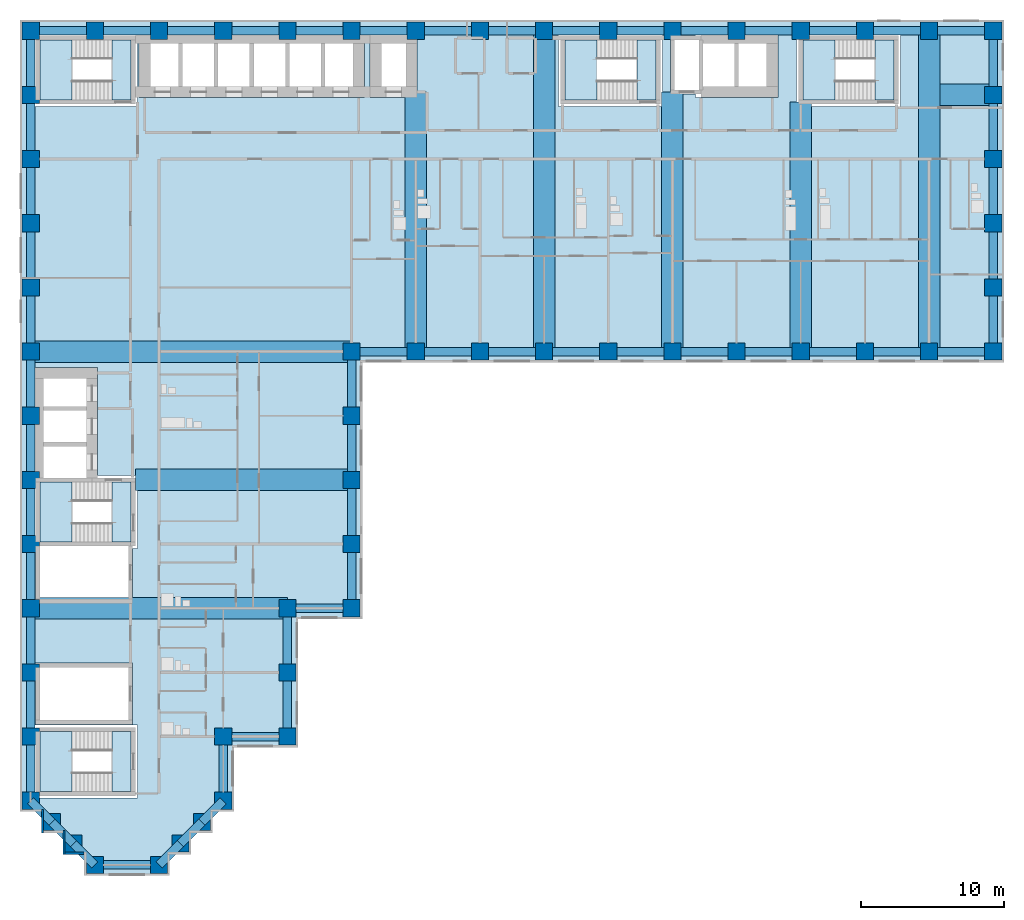
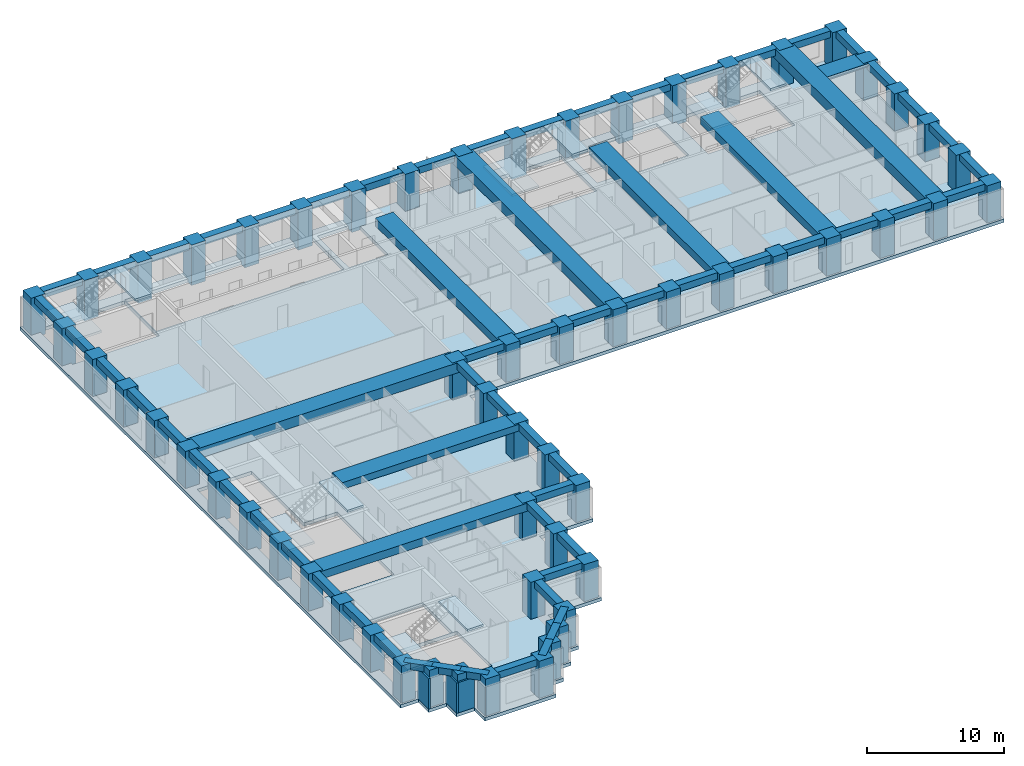
# One storey, part 1 of 12: 67 beams, 58 columns, 11 slabs, 3 walls, 5 elements without a shape of their own.
"""IFC4 building model written with IfcOpenShell, lengths in metres."""

import ifcopenshell
import ifcopenshell.guid

model = None  # the IFC model being written
_history = None  # IfcOwnerHistory: only IFC2X3 demands one
_inside = {}  # id of a spatial element -> (the spatial element, [elements in it])
_under = {}  # id of a project, library or spatial element -> (it, [spatial elements below it])
_declared = {}  # id of a project -> (the project, [libraries it declares])
_typed = {}  # id of a type object -> (the type object, [elements of that type])
_made_of = {}  # id of a material, layer set ... -> (it, [elements and type objects made of it])


def new_model(schema):
    """Start an empty IFC model of exactly this schema.

    Asked for "IFC4X3", IfcOpenShell would pick the latest addendum, in which some entities
    have other attributes; the version numbers below select the first issue.
    IFC2X3 requires an IfcOwnerHistory on every rooted entity: one is made here for all.
    """
    global model, _history
    if schema == "IFC4X3":
        model = ifcopenshell.file(schema_version=(4, 3, 0, 0))
    else:
        model = ifcopenshell.file(schema=schema)
    _inside.clear()
    _under.clear()
    _declared.clear()
    _typed.clear()
    _made_of.clear()
    _history = None
    if model.schema == "IFC2X3":
        org = make("IfcOrganization", Name="unknown")
        user = make(
            "IfcPersonAndOrganization",
            ThePerson=make("IfcPerson", FamilyName="unknown"),
            TheOrganization=org,
        )
        app = make(
            "IfcApplication",
            ApplicationDeveloper=org,
            Version="unknown",
            ApplicationFullName="unknown",
            ApplicationIdentifier="unknown",
        )
        _history = make(
            "IfcOwnerHistory",
            OwningUser=user,
            OwningApplication=app,
            ChangeAction="ADDED",
            CreationDate=0,
        )
    return model


def make(cls, **values):
    """One entity of the class cls with the attributes given. An attribute that is None is left unset."""
    return model.create_entity(
        cls, **{name: value for name, value in values.items() if value is not None}
    )


def rooted(cls, **values):
    """An entity with a GlobalId (a new one), such as an element, a storey or a relation."""
    return make(cls, GlobalId=ifcopenshell.guid.new(), OwnerHistory=_history, **values)


def si_unit(unit_type, name, prefix=None):
    """IfcSIUnit, for example si_unit("LENGTHUNIT", "METRE", prefix="MILLI")."""
    return make("IfcSIUnit", UnitType=unit_type, Prefix=prefix, Name=name)


def assignment(units):
    """IfcUnitAssignment: the units of a project."""
    return None if units is None else make("IfcUnitAssignment", Units=units)


def point(xyz):
    """IfcCartesianPoint."""
    return None if xyz is None else make("IfcCartesianPoint", Coordinates=xyz)


def direction(xyz):
    """IfcDirection."""
    return None if xyz is None else make("IfcDirection", DirectionRatios=xyz)


def frame(location, z_axis=None, x_axis=None):
    """IfcAxis2Placement3D, a coordinate frame: its origin and axes. An axis left out is left unset."""
    return make(
        "IfcAxis2Placement3D",
        Location=point(location),
        Axis=direction(z_axis),
        RefDirection=direction(x_axis),
    )


def frame_2d(location, x_axis=None):
    """IfcAxis2Placement2D, a coordinate frame in the plane: its origin and x axis."""
    return make(
        "IfcAxis2Placement2D", Location=point(location), RefDirection=direction(x_axis)
    )


def origin():
    """The frame at (0, 0, 0) with its axes left unset."""
    return frame((0.0, 0.0, 0.0))


def origin_2d():
    """The frame at (0, 0) in the plane with its x axis left unset."""
    return frame_2d((0.0, 0.0))


def place(relative_to, where):
    """IfcLocalPlacement: puts the frame where relative to a parent placement (None: the world)."""
    return make(
        "IfcLocalPlacement", PlacementRelTo=relative_to, RelativePlacement=where
    )


def context(
    kind, dimensions, precision=None, world=None, true_north=None, identifier=None
):
    """IfcGeometricRepresentationContext, for example the 3D "Model" context."""
    return make(
        "IfcGeometricRepresentationContext",
        ContextIdentifier=identifier,
        ContextType=kind,
        CoordinateSpaceDimension=dimensions,
        Precision=precision,
        WorldCoordinateSystem=world,
        TrueNorth=true_north,
    )


def subcontext(parent, identifier, kind, view, scale=None):
    """IfcGeometricRepresentationSubContext, for example "Body" below "Model"."""
    return make(
        "IfcGeometricRepresentationSubContext",
        ContextIdentifier=identifier,
        ContextType=kind,
        ParentContext=parent,
        TargetScale=scale,
        TargetView=view,
    )


def project(units=None, contexts=None):
    """IfcProject with its units and contexts."""
    return rooted(
        "IfcProject",
        Name="project",
        RepresentationContexts=contexts,
        UnitsInContext=assignment(units),
    )


def spatial(cls, under=None, at=None, **own):
    """A site, building, storey or space (cls), placed at a placement, below another one or the project."""
    s = rooted(cls, ObjectPlacement=at, **own)
    if under is not None:
        _under.setdefault(under.id(), (under, []))[1].append(s)
    return s


def polyline(points):
    """IfcPolyline through the points."""
    return make("IfcPolyline", Points=[point(p) for p in points])


def profile(cls, at=None, kind="AREA", **sizes):
    """A parametric profile (cls). Its sizes go by their IFC names, for example OverallWidth=200.0."""
    return make(cls, ProfileType=kind, Position=at, **sizes)


def rectangle(**sizes):
    """IfcRectangleProfileDef."""
    return profile("IfcRectangleProfileDef", **sizes)


def outline(outer, holes=None, kind="AREA"):
    """IfcArbitraryClosedProfileDef: a profile drawn as a closed curve; with holes, ...WithVoids."""
    if holes is None:
        return make("IfcArbitraryClosedProfileDef", ProfileType=kind, OuterCurve=outer)
    return make(
        "IfcArbitraryProfileDefWithVoids",
        ProfileType=kind,
        OuterCurve=outer,
        InnerCurves=holes,
    )


def extrude(swept, where, along, depth):
    """IfcExtrudedAreaSolid: the profile swept, set in the frame where, extruded along a direction by depth."""
    return make(
        "IfcExtrudedAreaSolid",
        SweptArea=swept,
        Position=where,
        ExtrudedDirection=direction(along),
        Depth=depth,
    )


def shape(context_of_items, identifier, shape_type, items):
    """IfcShapeRepresentation: the items that make up one representation, for example the "Body"."""
    return make(
        "IfcShapeRepresentation",
        ContextOfItems=context_of_items,
        RepresentationIdentifier=identifier,
        RepresentationType=shape_type,
        Items=items,
    )


def material(Name=None, Category=None):
    """IfcMaterial."""
    return make("IfcMaterial", Name=Name, Category=Category)


def layer(
    of_material, thickness, ventilated=None, Name=None, Category=None, Priority=None
):
    """IfcMaterialLayer: one layer of a wall or slab, of a material (None: an air gap)."""
    return make(
        "IfcMaterialLayer",
        Material=of_material,
        LayerThickness=thickness,
        IsVentilated=ventilated,
        Name=Name,
        Category=Category,
        Priority=Priority,
    )


def layer_set(layers, Name=None):
    """IfcMaterialLayerSet."""
    return make("IfcMaterialLayerSet", MaterialLayers=layers, LayerSetName=Name)


def material_profile(
    of_material, cross_section, Name=None, Category=None, Priority=None
):
    """IfcMaterialProfile: a cross section and its material."""
    return make(
        "IfcMaterialProfile",
        Name=Name,
        Material=of_material,
        Profile=cross_section,
        Priority=Priority,
        Category=Category,
    )


def profile_set(profiles, Name=None, composite=None):
    """IfcMaterialProfileSet."""
    return make(
        "IfcMaterialProfileSet",
        Name=Name,
        MaterialProfiles=profiles,
        CompositeProfile=composite,
    )


def made_of(thing, what):
    """Note that an element or type object is made of a material, layer set ...; save() writes the relation."""
    if what is not None:
        _made_of.setdefault(what.id(), (what, []))[1].append(thing)
    return thing


def type_object(cls, material=None, **own):
    """A type object (cls), such as IfcWallType, which elements share."""
    return made_of(rooted(cls, **own), material)


def element(
    cls,
    number,
    at=None,
    inside=None,
    cuts=None,
    type_object=None,
    material=None,
    context=None,
    identifier="Body",
    shape_type=None,
    held_by="IfcProductDefinitionShape",
    body=None,
    shapes=None,
    **own,
):
    """One element of the class cls, such as IfcWall. Its Tag is "e" and its number.

    at: its placement. inside: the storey or other place that contains it. cuts: it is an
    opening in that element (IfcRelVoidsElement). A single representation is given by context,
    identifier, shape_type and body (its items); several are given by shapes. held_by: the class
    of the entity that holds the representations. save() writes the other relations.
    """
    e = rooted(cls, Tag="e%d" % number, ObjectPlacement=at, **own)
    if body is not None:
        shapes = [shape(context, identifier, shape_type, body)]
    if shapes is not None:
        e.Representation = make(held_by, Representations=shapes)
    if inside is not None:
        _inside.setdefault(inside.id(), (inside, []))[1].append(e)
    if cuts is not None:
        rooted(
            "IfcRelVoidsElement", RelatingBuildingElement=cuts, RelatedOpeningElement=e
        )
    if type_object is not None:
        _typed.setdefault(type_object.id(), (type_object, []))[1].append(e)
    return made_of(e, material)


def aggregate(whole, parts):
    """IfcRelAggregates: a whole, such as a stair, and the parts it consists of."""
    return rooted("IfcRelAggregates", RelatingObject=whole, RelatedObjects=parts)


def save(model, path):
    """Write the relations noted so far, then the file.

    IfcRelAggregates (storeys below a building ...), IfcRelContainedInSpatialStructure (elements
    in a storey), IfcRelDefinesByType, IfcRelAssociatesMaterial and IfcRelDeclares: one each for
    every whole, place, type object, material and project.
    """
    for whole, parts in _under.values():
        aggregate(whole, parts)
    for where, things in _inside.values():
        rooted(
            "IfcRelContainedInSpatialStructure",
            RelatedElements=things,
            RelatingStructure=where,
        )
    for kind, things in _typed.values():
        rooted("IfcRelDefinesByType", RelatedObjects=things, RelatingType=kind)
    for what, things in _made_of.values():
        rooted("IfcRelAssociatesMaterial", RelatedObjects=things, RelatingMaterial=what)
    for by, libraries in _declared.values():
        rooted("IfcRelDeclares", RelatingContext=by, RelatedDefinitions=libraries)
    model.write(path)


model = new_model("IFC4")

# Units and contexts
model_context = context("Model", 3, precision=1e-05, world=origin(), true_north=direction((0.0, 1.0)))
body_context = subcontext(model_context, "Body", "Model", "MODEL_VIEW")
ifc_project = project(units=[si_unit("LENGTHUNIT", "METRE"), si_unit("AREAUNIT", "SQUARE_METRE"), si_unit("VOLUMEUNIT", "CUBIC_METRE"), si_unit("PLANEANGLEUNIT", "RADIAN"), si_unit("MASSUNIT", "GRAM", prefix="KILO")], contexts=[model_context])

# Site, building, storey
site_placement = place(None, origin())
site = spatial("IfcSite", under=ifc_project, at=site_placement, CompositionType="ELEMENT")
building_placement = place(site_placement, origin())
building = spatial("IfcBuilding", under=site, at=building_placement, Name="Firuza Court", CompositionType="ELEMENT")
storey_placement = place(building_placement, frame((0.0, 0.0, 39.800048828125)))
storey = spatial("IfcBuildingStorey", under=building, at=storey_placement, Name="L08", CompositionType="ELEMENT", Elevation=39.800048828125)

# Columns
ifc_material_1 = material(Name="Concrete C70/85", Category="concrete")
ifc_material_profile_1 = material_profile(ifc_material_1, rectangle(XDim=1.199951171875, YDim=1.199951171875, at=origin_2d()), Name="RC 1200x1200")
ifc_profile_set_1 = profile_set([ifc_material_profile_1], Name="Concrete C70/85")
column_type = type_object("IfcColumnType", Name="Tube column RC 1200x1200 C70/85", PredefinedType="COLUMN", material=ifc_profile_set_1)
for number, where, z_axis, x_axis, name in (
    (1, (4.5, 0.0, -0.300048828125), (0.0, 0.0, 1.0), (1.0, 0.0, 0.0), "Column C-2D L08"),
    (2, (9.0, 0.0, -0.300048828125), (0.0, 0.0, 1.0), (1.0, 0.0, 0.0), "Column C-3D L08"),
    (3, (3.0, 1.5, -0.300048828125), (0.0, 0.0, 1.0), (1.0, 0.0, 0.0), "Column C-SA1 L08"),
    (4, (10.5, 1.5, -0.300048828125), (0.0, 0.0, 1.0), (1.0, 0.0, 0.0), "Column C-SA2 L08"),
    (5, (1.5, 3.0, -0.300048828125), (0.0, 0.0, 1.0), (1.0, 0.0, 0.0), "Column C-SA3 L08"),
    (6, (12.0, 3.0, -0.300048828125), (0.0, 0.0, 1.0), (1.0, 0.0, 0.0), "Column C-SA4 L08"),
    (7, (0.0, 4.5, -0.300048828125), (0.0, 0.0, 1.0), (1.0, 0.0, 0.0), "Column C-1E L08"),
    (8, (13.5, 4.5, -0.300048828125), (0.0, 0.0, 1.0), (1.0, 0.0, 0.0), "Column C-4E L08"),
    (9, (0.0, 9.0, -0.300048828125), (0.0, 0.0, 1.0), (1.0, 0.0, 0.0), "Column C-1F L08"),
    (10, (13.5, 9.0, -0.300048828125), (0.0, 0.0, 1.0), (1.0, 0.0, 0.0), "Column C-4F L08"),
    (11, (18.0, 9.0, -0.300048828125), (0.0, 0.0, 1.0), (1.0, 0.0, 0.0), "Column C-5F L08"),
    (12, (0.0, 13.5, -0.300048828125), (0.0, 0.0, 1.0), (1.0, 0.0, 0.0), "Column C-1G L08"),
    (13, (18.0, 13.5, -0.300048828125), (0.0, 0.0, 1.0), (1.0, 0.0, 0.0), "Column C-5G L08"),
    (14, (0.0, 18.0, -0.300048828125), (0.0, 0.0, 1.0), (1.0, 0.0, 0.0), "Column C-1H L08"),
    (15, (18.0, 18.0, -0.300048828125), (0.0, 0.0, 1.0), (1.0, 0.0, 0.0), "Column C-5H L08"),
    (16, (22.5, 18.0, -0.300048828125), (0.0, 0.0, 1.0), (1.0, 0.0, 0.0), "Column C-6H L08"),
    (17, (0.0, 22.5, -0.300048828125), (0.0, 0.0, 1.0), (1.0, 0.0, 0.0), "Column C-1J L08"),
    (18, (22.5, 22.5, -0.300048828125), (0.0, 0.0, 1.0), (1.0, 0.0, 0.0), "Column C-6J L08"),
    (19, (0.0, 27.0, -0.300048828125), (0.0, 0.0, 1.0), (1.0, 0.0, 0.0), "Column C-1K L08"),
    (20, (22.5, 27.0, -0.300048828125), (0.0, 0.0, 1.0), (1.0, 0.0, 0.0), "Column C-6K L08"),
    (21, (0.0, 31.5, -0.300048828125), (0.0, 0.0, 1.0), (1.0, 0.0, 0.0), "Column C-1L L08"),
    (22, (22.5, 31.5, -0.300048828125), (0.0, 0.0, 1.0), (1.0, 0.0, 0.0), "Column C-6L L08"),
    (23, (0.0, 36.0, -0.300048828125), (0.0, 0.0, 1.0), (1.0, 0.0, 0.0), "Column C-1M L08"),
    (24, (22.5, 36.0, -0.300048828125), (0.0, 0.0, 1.0), (1.0, 0.0, 0.0), "Column C-6M L08"),
    (25, (27.0, 36.0, -0.300048828125), (0.0, 0.0, 1.0), (1.0, 0.0, 0.0), "Column C-7M L08"),
    (26, (31.5, 36.0, -0.300048828125), (0.0, 0.0, 1.0), (1.0, 0.0, 0.0), "Column C-8M L08"),
    (27, (36.0, 36.0, -0.300048828125), (0.0, 0.0, 1.0), (1.0, 0.0, 0.0), "Column C-9M L08"),
    (28, (40.5, 36.0, -0.300048828125), (0.0, 0.0, 1.0), (1.0, 0.0, 0.0), "Column C-10M L08"),
    (29, (45.0, 36.0, -0.300048828125), (0.0, 0.0, 1.0), (1.0, 0.0, 0.0), "Column C-11M L08"),
    (30, (49.5, 36.0, -0.300048828125), (0.0, 0.0, 1.0), (1.0, 0.0, 0.0), "Column C-12M L08"),
    (31, (54.0, 36.0, -0.300048828125), (0.0, 0.0, 1.0), (1.0, 0.0, 0.0), "Column C-13M L08"),
    (32, (58.5, 36.0, -0.300048828125), (0.0, 0.0, 1.0), (1.0, 0.0, 0.0), "Column C-14M L08"),
    (33, (63.0, 36.0, -0.300048828125), (0.0, 0.0, 1.0), (1.0, 0.0, 0.0), "Column C-15M L08"),
    (34, (67.5, 36.0, -0.300048828125), (0.0, 0.0, 1.0), (1.0, 0.0, 0.0), "Column C-16M L08"),
    (35, (0.0, 40.5, -0.300048828125), (0.0, 0.0, 1.0), (1.0, 0.0, 0.0), "Column C-1N L08"),
    (36, (67.5, 40.5, -0.300048828125), (0.0, 0.0, 1.0), (1.0, 0.0, 0.0), "Column C-16N L08"),
    (37, (0.0, 45.0, -0.300048828125), (0.0, 0.0, 1.0), (1.0, 0.0, 0.0), "Column C-1P L08"),
    (38, (67.5, 45.0, -0.300048828125), (0.0, 0.0, 1.0), (1.0, 0.0, 0.0), "Column C-16P L08"),
    (39, (0.0, 49.5, -0.300048828125), (0.0, 0.0, 1.0), (1.0, 0.0, 0.0), "Column C-1Q L08"),
    (40, (67.5, 49.5, -0.300048828125), (0.0, 0.0, 1.0), (1.0, 0.0, 0.0), "Column C-16Q L08"),
    (41, (0.0, 54.0, -0.300048828125), (0.0, 0.0, 1.0), (1.0, 0.0, 0.0), "Column C-1R L08"),
    (42, (67.5, 54.0, -0.300048828125), (0.0, 0.0, 1.0), (1.0, 0.0, 0.0), "Column C-16R L08"),
    (43, (0.0, 58.5, -0.300048828125), (0.0, 0.0, 1.0), (1.0, 0.0, 0.0), "Column C-1S L08"),
    (44, (4.5, 58.5, -0.300048828125), (0.0, 0.0, 1.0), (1.0, 0.0, 0.0), "Column C-2S L08"),
    (45, (9.0, 58.5, -0.300048828125), (0.0, 0.0, 1.0), (1.0, 0.0, 0.0), "Column C-3S L08"),
    (46, (13.5, 58.5, -0.300048828125), (0.0, 0.0, 1.0), (1.0, 0.0, 0.0), "Column C-4S L08"),
    (47, (18.0, 58.5, -0.300048828125), (0.0, 0.0, 1.0), (1.0, 0.0, 0.0), "Column C-5S L08"),
    (48, (22.5, 58.5, -0.300048828125), (0.0, 0.0, 1.0), (1.0, 0.0, 0.0), "Column C-6S L08"),
    (49, (27.0, 58.5, -0.300048828125), (0.0, 0.0, 1.0), (1.0, 0.0, 0.0), "Column C-7S L08"),
    (50, (31.5, 58.5, -0.300048828125), (0.0, 0.0, 1.0), (1.0, 0.0, 0.0), "Column C-8S L08"),
    (51, (36.0, 58.5, -0.300048828125), (0.0, 0.0, 1.0), (1.0, 0.0, 0.0), "Column C-9S L08"),
    (52, (40.5, 58.5, -0.300048828125), (0.0, 0.0, 1.0), (1.0, 0.0, 0.0), "Column C-10S L08"),
    (53, (45.0, 58.5, -0.300048828125), (0.0, 0.0, 1.0), (1.0, 0.0, 0.0), "Column C-11S L08"),
    (54, (49.5, 58.5, -0.300048828125), (0.0, 0.0, 1.0), (1.0, 0.0, 0.0), "Column C-12S L08"),
    (55, (54.0, 58.5, -0.300048828125), (0.0, 0.0, 1.0), (1.0, 0.0, 0.0), "Column C-13S L08"),
    (56, (58.5, 58.5, -0.300048828125), (0.0, 0.0, 1.0), (1.0, 0.0, 0.0), "Column C-14S L08"),
    (57, (63.0, 58.5, -0.300048828125), (0.0, 0.0, 1.0), (1.0, 0.0, 0.0), "Column C-15S L08"),
    (58, (67.5, 58.5, -0.300048828125), (0.0, 0.0, 1.0), (1.0, 0.0, 0.0), "Column C-16S L08"),
):
    element("IfcColumn", number, at=place(storey_placement, frame(where, z_axis=z_axis, x_axis=x_axis)), inside=storey, type_object=column_type, Name=name, PredefinedType="COLUMN", context=body_context, shape_type="SweptSolid", body=[
        extrude(rectangle(XDim=1.199951171875, YDim=1.199951171875, at=origin_2d()), origin(), (0.0, 0.0, 1.0), 3.60009765625),
    ])

# Beams
ifc_material_2 = material(Name="Concrete C40/50", Category="concrete")
ifc_material_profile_2 = material_profile(ifc_material_2, rectangle(XDim=1.5, YDim=0.300048828125, at=origin_2d()), Name="RC 1500x300")
ifc_profile_set_2 = profile_set([ifc_material_profile_2], Name="Concrete C40/50")
beam_type_1 = type_object("IfcBeamType", Name="Band beam RC 1500x300 C40/50", PredefinedType="BEAM", material=ifc_profile_set_2)
beam_1_placement = place(storey_placement, frame((67.5, 54.0, 3.14990234375), z_axis=(-1.0, 0.0, 0.0), x_axis=(0.0, -1.0, 0.0)))
element("IfcBeam", 59, at=beam_1_placement, inside=storey, type_object=beam_type_1, Name="Band beam FB6 level L09", PredefinedType="BEAM", context=body_context, shape_type="SweptSolid", body=[
    extrude(rectangle(XDim=1.5, YDim=0.300048828125, at=origin_2d()), origin(), (0.0, 0.0, 1.0), 3.75),
])
ifc_material_3 = material(Name="Concrete C40/50", Category="concrete")
ifc_material_profile_3 = material_profile(ifc_material_3, rectangle(XDim=1.5, YDim=0.60009765625, at=origin_2d()), Name="RC 1500x600")
ifc_profile_set_3 = profile_set([ifc_material_profile_3], Name="Concrete C40/50")
beam_type_2 = type_object("IfcBeamType", Name="Band beam RC 1500x600 C40/50", PredefinedType="BEAM", material=ifc_profile_set_3)
beam_2_placement = place(storey_placement, frame((22.5, 27.0, 3.0), z_axis=(-1.0, 0.0, 0.0), x_axis=(0.0, -1.0, 0.0)))
element("IfcBeam", 60, at=beam_2_placement, inside=storey, type_object=beam_type_2, Name="Band beam FB3 level L09", PredefinedType="BEAM", context=body_context, shape_type="SweptSolid", body=[
    extrude(rectangle(XDim=1.5, YDim=0.60009765625, at=origin_2d()), origin(), (0.0, 0.0, 1.0), 15.14990234375),
])
ifc_material_4 = material(Name="Concrete C40/50", Category="concrete")
ifc_material_profile_4 = material_profile(ifc_material_4, rectangle(XDim=1.5, YDim=0.699951171875, at=origin_2d()), Name="RC 1500x700")
ifc_profile_set_4 = profile_set([ifc_material_profile_4], Name="Concrete C40/50")
beam_type_3 = type_object("IfcBeamType", Name="Band beam RC 1500x700 C40/50", PredefinedType="BEAM", material=ifc_profile_set_4)
beam_3_placement = place(storey_placement, frame((0.0, 18.0, 2.949951171875), z_axis=(1.0, 0.0, 0.0), x_axis=(0.0, 1.0, 0.0)))
element("IfcBeam", 61, at=beam_3_placement, inside=storey, type_object=beam_type_3, Name="Band beam FB1 level L09", PredefinedType="BEAM", context=body_context, shape_type="SweptSolid", body=[
    extrude(rectangle(XDim=1.5, YDim=0.699951171875, at=origin_2d()), origin(), (0.0, 0.0, 1.0), 18.0),
])
for number, where, z_axis, x_axis, name in (
    (62, (27.0, 36.0, 2.949951171875), (0.0, 1.0, 0.0), (-1.0, 0.0, 0.0), "Band beam FB1 level L09"),
    (63, (45.0, 36.0, 2.949951171875), (0.0, 1.0, 0.0), (-1.0, 0.0, 0.0), "Band beam FB1 level L09"),
):
    element("IfcBeam", number, at=place(storey_placement, frame(where, z_axis=z_axis, x_axis=x_axis)), inside=storey, type_object=beam_type_3, Name=name, PredefinedType="BEAM", context=body_context, shape_type="SweptSolid", body=[
        extrude(rectangle(XDim=1.5, YDim=0.699951171875, at=origin_2d()), origin(), (0.0, 0.0, 1.0), 18.199951171875),
    ])
beam_4_placement = place(storey_placement, frame((54.0, 36.0, 2.949951171875), z_axis=(0.0, 1.0, 0.0), x_axis=(-1.0, 0.0, 0.0)))
element("IfcBeam", 64, at=beam_4_placement, inside=storey, type_object=beam_type_3, Name="Band beam FB1 level L09", PredefinedType="BEAM", context=body_context, shape_type="SweptSolid", body=[
    extrude(rectangle(XDim=1.5, YDim=0.699951171875, at=origin_2d()), origin(), (0.0, 0.0, 1.0), 17.5),
])
ifc_material_5 = material(Name="Concrete C40/50", Category="concrete")
ifc_material_profile_5 = material_profile(ifc_material_5, rectangle(XDim=1.5, YDim=0.89990234375, at=origin_2d()), Name="RC 1500x900")
ifc_profile_set_5 = profile_set([ifc_material_profile_5], Name="Concrete C40/50")
beam_type_4 = type_object("IfcBeamType", Name="Band beam RC 1500x900 C40/50", PredefinedType="BEAM", material=ifc_profile_set_5)
for number, where, z_axis, x_axis, name in (
    (65, (0.0, 36.0, 2.849853515625), (1.0, 0.0, 0.0), (0.0, 1.0, 0.0), "Band beam FB2 level L09"),
    (66, (36.0, 36.0, 2.849853515625), (0.0, 1.0, 0.0), (-1.0, 0.0, 0.0), "Band beam FB2 level L09"),
    (67, (63.0, 36.0, 2.849853515625), (0.0, 1.0, 0.0), (-1.0, 0.0, 0.0), "Band beam FB2 level L09"),
):
    element("IfcBeam", number, at=place(storey_placement, frame(where, z_axis=z_axis, x_axis=x_axis)), inside=storey, type_object=beam_type_4, Name=name, PredefinedType="BEAM", context=body_context, shape_type="SweptSolid", body=[
        extrude(rectangle(XDim=1.5, YDim=0.89990234375, at=origin_2d()), origin(), (0.0, 0.0, 1.0), 22.5),
    ])
ifc_material_6 = material(Name="Concrete C40/50", Category="concrete")
ifc_material_profile_6 = material_profile(ifc_material_6, rectangle(XDim=0.60009765625, YDim=0.60009765625, at=origin_2d()), Name="RC 600x600")
ifc_profile_set_6 = profile_set([ifc_material_profile_6], Name="Concrete C40/50")
beam_type_5 = type_object("IfcBeamType", Name="Spandrel beam RC 600x600 C40/50", PredefinedType="BEAM", material=ifc_profile_set_6)
beam_5_placement = place(storey_placement, frame((0.0, 4.5, 3.0), z_axis=(0.707106781187, -0.707106781187, 0.0), x_axis=(0.707106781187, 0.707106781187, 0.0)))
element("IfcBeam", 68, at=beam_5_placement, inside=storey, type_object=beam_type_5, Name="Spandrel beam SP11 level L09", PredefinedType="BEAM", context=body_context, shape_type="SweptSolid", body=[
    extrude(rectangle(XDim=0.60009765625, YDim=0.60009765625, at=origin_2d()), origin(), (0.0, 0.0, 1.0), 2.121337890625),
])
for number, where, z_axis, x_axis, name in (
    (69, (0.0, 9.0, 3.0), (0.0, -1.0, 0.0), (1.0, 0.0, 0.0), "Spandrel beam SP11 level L09"),
    (70, (0.0, 13.5, 3.0), (0.0, -1.0, 0.0), (1.0, 0.0, 0.0), "Spandrel beam SP11 level L09"),
    (71, (0.0, 18.0, 3.0), (0.0, -1.0, 0.0), (1.0, 0.0, 0.0), "Spandrel beam SP11 level L09"),
    (72, (0.0, 22.5, 3.0), (0.0, -1.0, 0.0), (1.0, 0.0, 0.0), "Spandrel beam SP11 level L09"),
    (73, (0.0, 27.0, 3.0), (0.0, -1.0, 0.0), (1.0, 0.0, 0.0), "Spandrel beam SP11 level L09"),
    (74, (0.0, 31.5, 3.0), (0.0, -1.0, 0.0), (1.0, 0.0, 0.0), "Spandrel beam SP11 level L09"),
    (75, (0.0, 36.0, 3.0), (0.0, -1.0, 0.0), (1.0, 0.0, 0.0), "Spandrel beam SP11 level L09"),
    (76, (0.0, 40.5, 3.0), (0.0, -1.0, 0.0), (1.0, 0.0, 0.0), "Spandrel beam SP11 level L09"),
    (77, (0.0, 45.0, 3.0), (0.0, -1.0, 0.0), (1.0, 0.0, 0.0), "Spandrel beam SP11 level L09"),
    (78, (0.0, 49.5, 3.0), (0.0, -1.0, 0.0), (1.0, 0.0, 0.0), "Spandrel beam SP11 level L09"),
    (79, (0.0, 54.0, 3.0), (0.0, -1.0, 0.0), (1.0, 0.0, 0.0), "Spandrel beam SP11 level L09"),
    (80, (0.0, 58.5, 3.0), (0.0, -1.0, 0.0), (1.0, 0.0, 0.0), "Spandrel beam SP11 level L09"),
):
    element("IfcBeam", number, at=place(storey_placement, frame(where, z_axis=z_axis, x_axis=x_axis)), inside=storey, type_object=beam_type_5, Name=name, PredefinedType="BEAM", context=body_context, shape_type="SweptSolid", body=[
        extrude(rectangle(XDim=0.60009765625, YDim=0.60009765625, at=origin_2d()), origin(), (0.0, 0.0, 1.0), 4.5),
    ])
for number, where, z_axis, x_axis, name in (
    (81, (1.5, 3.0, 3.0), (0.707106781187, -0.707106781187, 0.0), (0.707106781187, 0.707106781187, 0.0), "Spandrel beam SP11 level L09"),
    (82, (3.0, 1.5, 3.0), (0.707106781187, -0.707106781187, 0.0), (0.707106781187, 0.707106781187, 0.0), "Spandrel beam SP11 level L09"),
):
    element("IfcBeam", number, at=place(storey_placement, frame(where, z_axis=z_axis, x_axis=x_axis)), inside=storey, type_object=beam_type_5, Name=name, PredefinedType="BEAM", context=body_context, shape_type="SweptSolid", body=[
        extrude(rectangle(XDim=0.60009765625, YDim=0.60009765625, at=origin_2d()), origin(), (0.0, 0.0, 1.0), 2.121337890625),
    ])
for number, where, z_axis, x_axis, name in (
    (83, (4.5, 0.0, 3.0), (1.0, 0.0, 0.0), (0.0, 1.0, 0.0), "Spandrel beam SP11 level L09"),
    (84, (4.5, 58.5, 3.0), (-1.0, 0.0, 0.0), (0.0, -1.0, 0.0), "Spandrel beam SP11 level L09"),
):
    element("IfcBeam", number, at=place(storey_placement, frame(where, z_axis=z_axis, x_axis=x_axis)), inside=storey, type_object=beam_type_5, Name=name, PredefinedType="BEAM", context=body_context, shape_type="SweptSolid", body=[
        extrude(rectangle(XDim=0.60009765625, YDim=0.60009765625, at=origin_2d()), origin(), (0.0, 0.0, 1.0), 4.5),
    ])
beam_6_placement = place(storey_placement, frame((9.0, 0.0, 3.0), z_axis=(0.707106781187, 0.707106781187, 0.0), x_axis=(-0.707106781187, 0.707106781187, 0.0)))
element("IfcBeam", 85, at=beam_6_placement, inside=storey, type_object=beam_type_5, Name="Spandrel beam SP11 level L09", PredefinedType="BEAM", context=body_context, shape_type="SweptSolid", body=[
    extrude(rectangle(XDim=0.60009765625, YDim=0.60009765625, at=origin_2d()), origin(), (0.0, 0.0, 1.0), 2.121337890625),
])
beam_7_placement = place(storey_placement, frame((9.0, 58.5, 3.0), z_axis=(-1.0, 0.0, 0.0), x_axis=(0.0, -1.0, 0.0)))
element("IfcBeam", 86, at=beam_7_placement, inside=storey, type_object=beam_type_5, Name="Spandrel beam SP11 level L09", PredefinedType="BEAM", context=body_context, shape_type="SweptSolid", body=[
    extrude(rectangle(XDim=0.60009765625, YDim=0.60009765625, at=origin_2d()), origin(), (0.0, 0.0, 1.0), 4.5),
])
for number, where, z_axis, x_axis, name in (
    (87, (10.5, 1.5, 3.0), (0.707106781187, 0.707106781187, 0.0), (-0.707106781187, 0.707106781187, 0.0), "Spandrel beam SP11 level L09"),
    (88, (12.0, 3.0, 3.0), (0.707106781187, 0.707106781187, 0.0), (-0.707106781187, 0.707106781187, 0.0), "Spandrel beam SP11 level L09"),
):
    element("IfcBeam", number, at=place(storey_placement, frame(where, z_axis=z_axis, x_axis=x_axis)), inside=storey, type_object=beam_type_5, Name=name, PredefinedType="BEAM", context=body_context, shape_type="SweptSolid", body=[
        extrude(rectangle(XDim=0.60009765625, YDim=0.60009765625, at=origin_2d()), origin(), (0.0, 0.0, 1.0), 2.121337890625),
    ])
for number, where, z_axis, x_axis, name in (
    (89, (13.5, 4.5, 3.0), (0.0, 1.0, 0.0), (-1.0, 0.0, 0.0), "Spandrel beam SP11 level L09"),
    (90, (13.5, 9.0, 3.0), (1.0, 0.0, 0.0), (0.0, 1.0, 0.0), "Spandrel beam SP11 level L09"),
    (91, (13.5, 58.5, 3.0), (-1.0, 0.0, 0.0), (0.0, -1.0, 0.0), "Spandrel beam SP11 level L09"),
    (92, (18.0, 9.0, 3.0), (0.0, 1.0, 0.0), (-1.0, 0.0, 0.0), "Spandrel beam SP11 level L09"),
    (93, (18.0, 13.5, 3.0), (0.0, 1.0, 0.0), (-1.0, 0.0, 0.0), "Spandrel beam SP11 level L09"),
    (94, (18.0, 18.0, 3.0), (1.0, 0.0, 0.0), (0.0, 1.0, 0.0), "Spandrel beam SP11 level L09"),
    (95, (18.0, 58.5, 3.0), (-1.0, 0.0, 0.0), (0.0, -1.0, 0.0), "Spandrel beam SP11 level L09"),
    (96, (22.5, 18.0, 3.0), (0.0, 1.0, 0.0), (-1.0, 0.0, 0.0), "Spandrel beam SP11 level L09"),
    (97, (22.5, 22.5, 3.0), (0.0, 1.0, 0.0), (-1.0, 0.0, 0.0), "Spandrel beam SP11 level L09"),
    (98, (22.5, 27.0, 3.0), (0.0, 1.0, 0.0), (-1.0, 0.0, 0.0), "Spandrel beam SP11 level L09"),
    (99, (22.5, 31.5, 3.0), (0.0, 1.0, 0.0), (-1.0, 0.0, 0.0), "Spandrel beam SP11 level L09"),
    (100, (22.5, 36.0, 3.0), (1.0, 0.0, 0.0), (0.0, 1.0, 0.0), "Spandrel beam SP11 level L09"),
    (101, (22.5, 58.5, 3.0), (-1.0, 0.0, 0.0), (0.0, -1.0, 0.0), "Spandrel beam SP11 level L09"),
    (102, (27.0, 36.0, 3.0), (1.0, 0.0, 0.0), (0.0, 1.0, 0.0), "Spandrel beam SP11 level L09"),
    (103, (27.0, 58.5, 3.0), (-1.0, 0.0, 0.0), (0.0, -1.0, 0.0), "Spandrel beam SP11 level L09"),
    (104, (31.5, 36.0, 3.0), (1.0, 0.0, 0.0), (0.0, 1.0, 0.0), "Spandrel beam SP11 level L09"),
    (105, (31.5, 58.5, 3.0), (-1.0, 0.0, 0.0), (0.0, -1.0, 0.0), "Spandrel beam SP11 level L09"),
    (106, (36.0, 36.0, 3.0), (1.0, 0.0, 0.0), (0.0, 1.0, 0.0), "Spandrel beam SP11 level L09"),
    (107, (36.0, 58.5, 3.0), (-1.0, 0.0, 0.0), (0.0, -1.0, 0.0), "Spandrel beam SP11 level L09"),
    (108, (40.5, 36.0, 3.0), (1.0, 0.0, 0.0), (0.0, 1.0, 0.0), "Spandrel beam SP11 level L09"),
    (109, (40.5, 58.5, 3.0), (-1.0, 0.0, 0.0), (0.0, -1.0, 0.0), "Spandrel beam SP11 level L09"),
    (110, (45.0, 36.0, 3.0), (1.0, 0.0, 0.0), (0.0, 1.0, 0.0), "Spandrel beam SP11 level L09"),
    (111, (45.0, 58.5, 3.0), (-1.0, 0.0, 0.0), (0.0, -1.0, 0.0), "Spandrel beam SP11 level L09"),
    (112, (49.5, 36.0, 3.0), (1.0, 0.0, 0.0), (0.0, 1.0, 0.0), "Spandrel beam SP11 level L09"),
    (113, (49.5, 58.5, 3.0), (-1.0, 0.0, 0.0), (0.0, -1.0, 0.0), "Spandrel beam SP11 level L09"),
    (114, (54.0, 36.0, 3.0), (1.0, 0.0, 0.0), (0.0, 1.0, 0.0), "Spandrel beam SP11 level L09"),
    (115, (54.0, 58.5, 3.0), (-1.0, 0.0, 0.0), (0.0, -1.0, 0.0), "Spandrel beam SP11 level L09"),
    (116, (58.5, 36.0, 3.0), (1.0, 0.0, 0.0), (0.0, 1.0, 0.0), "Spandrel beam SP11 level L09"),
    (117, (58.5, 58.5, 3.0), (-1.0, 0.0, 0.0), (0.0, -1.0, 0.0), "Spandrel beam SP11 level L09"),
    (118, (63.0, 36.0, 3.0), (1.0, 0.0, 0.0), (0.0, 1.0, 0.0), "Spandrel beam SP11 level L09"),
    (119, (63.0, 58.5, 3.0), (-1.0, 0.0, 0.0), (0.0, -1.0, 0.0), "Spandrel beam SP11 level L09"),
    (120, (67.5, 36.0, 3.0), (0.0, 1.0, 0.0), (-1.0, 0.0, 0.0), "Spandrel beam SP11 level L09"),
    (121, (67.5, 40.5, 3.0), (0.0, 1.0, 0.0), (-1.0, 0.0, 0.0), "Spandrel beam SP11 level L09"),
    (122, (67.5, 45.0, 3.0), (0.0, 1.0, 0.0), (-1.0, 0.0, 0.0), "Spandrel beam SP11 level L09"),
    (123, (67.5, 49.5, 3.0), (0.0, 1.0, 0.0), (-1.0, 0.0, 0.0), "Spandrel beam SP11 level L09"),
    (124, (67.5, 54.0, 3.0), (0.0, 1.0, 0.0), (-1.0, 0.0, 0.0), "Spandrel beam SP11 level L09"),
    (125, (67.5, 58.5, 3.0), (-1.0, 0.0, 0.0), (0.0, -1.0, 0.0), "Spandrel beam SP11 level L09"),
):
    element("IfcBeam", number, at=place(storey_placement, frame(where, z_axis=z_axis, x_axis=x_axis)), inside=storey, type_object=beam_type_5, Name=name, PredefinedType="BEAM", context=body_context, shape_type="SweptSolid", body=[
        extrude(rectangle(XDim=0.60009765625, YDim=0.60009765625, at=origin_2d()), origin(), (0.0, 0.0, 1.0), 4.5),
    ])

# Slab
ifc_material_7 = material(Name="Concrete C40/50", Category="concrete")
ifc_layer_1 = layer(ifc_material_7, 0.300048828125)
ifc_layer_set_1 = layer_set([ifc_layer_1], Name="Concrete C40/50")
slab_type_1 = type_object("IfcSlabType", Name="Floor slab 300 C40/50", PredefinedType="FLOOR", material=ifc_layer_set_1)
slab_1_placement = place(storey_placement, frame((0.0, 0.0, -0.300048828125)))
element("IfcSlab", 126, at=slab_1_placement, inside=storey, type_object=slab_type_1, Name="Floor slab L08", PredefinedType="FLOOR", context=body_context, shape_type="SweptSolid", body=[
    extrude(outline(polyline([(3.75, -0.75), (3.75, 0.75), (2.25, 0.75), (2.25, 2.25), (0.75, 2.25), (0.75, 3.75), (-0.75, 3.75), (-0.75, 59.25), (68.25, 59.25), (68.25, 35.25), (23.25, 35.25), (23.25, 17.25), (18.75, 17.25), (18.75, 8.25), (14.25, 8.25), (14.25, 3.75), (12.75, 3.75), (12.75, 2.25), (11.25, 2.25), (11.25, 0.75), (9.75, 0.75), (9.75, -0.75), (3.75, -0.75)]), holes=[polyline([(7.5, 9.800048828125), (0.199951171875, 9.800048828125), (0.199951171875, 4.699951171875), (7.5, 4.699951171875), (7.5, 9.800048828125)]), polyline([(7.14990234375, 14.14990234375), (0.35009765625, 14.14990234375), (0.35009765625, 9.85009765625), (7.14990234375, 9.85009765625), (7.14990234375, 14.14990234375)]), polyline([(0.199951171875, 22.199951171875), (0.35009765625, 22.199951171875), (0.35009765625, 18.35009765625), (7.14990234375, 18.35009765625), (7.14990234375, 22.199951171875), (7.5, 22.199951171875), (7.5, 27.300048828125), (4.699951171875, 27.300048828125), (4.699951171875, 29.10009765625), (4.699951171875, 29.89990234375), (4.699951171875, 31.60009765625), (4.699951171875, 32.39990234375), (4.699951171875, 34.89990234375), (0.10009765625, 34.89990234375), (0.10009765625, 32.39990234375), (0.10009765625, 31.60009765625), (0.10009765625, 29.89990234375), (0.10009765625, 29.10009765625), (0.10009765625, 26.60009765625), (0.199951171875, 26.60009765625), (0.199951171875, 22.199951171875)]), polyline([(7.5, 58.300048828125), (0.199951171875, 58.300048828125), (0.199951171875, 53.199951171875), (7.5, 53.199951171875), (7.5, 58.300048828125)]), polyline([(10.10009765625, 58.39990234375), (7.60009765625, 58.39990234375), (7.60009765625, 53.800048828125), (10.10009765625, 53.800048828125), (10.89990234375, 53.800048828125), (12.60009765625, 53.800048828125), (13.39990234375, 53.800048828125), (15.10009765625, 53.800048828125), (15.89990234375, 53.800048828125), (17.60009765625, 53.800048828125), (18.39990234375, 53.800048828125), (20.10009765625, 53.800048828125), (20.89990234375, 53.800048828125), (23.39990234375, 53.800048828125), (23.39990234375, 58.39990234375), (20.89990234375, 58.39990234375), (20.10009765625, 58.39990234375), (18.39990234375, 58.39990234375), (17.60009765625, 58.39990234375), (15.89990234375, 58.39990234375), (15.10009765625, 58.39990234375), (13.39990234375, 58.39990234375), (12.60009765625, 58.39990234375), (10.89990234375, 58.39990234375), (10.10009765625, 58.39990234375)]), polyline([(44.300048828125, 58.300048828125), (37.0, 58.300048828125), (37.0, 53.199951171875), (44.300048828125, 53.199951171875), (44.300048828125, 58.300048828125)]), polyline([(61.0, 58.300048828125), (53.699951171875, 58.300048828125), (53.699951171875, 53.199951171875), (61.0, 53.199951171875), (61.0, 58.300048828125)]), polyline([(27.10009765625, 58.39990234375), (23.800048828125, 58.39990234375), (23.800048828125, 53.800048828125), (27.10009765625, 53.800048828125), (27.10009765625, 58.39990234375)]), polyline([(46.60009765625, 58.14990234375), (44.85009765625, 58.14990234375), (44.85009765625, 54.050048828125), (46.60009765625, 54.050048828125), (46.60009765625, 53.800048828125), (49.10009765625, 53.800048828125), (49.89990234375, 53.800048828125), (52.39990234375, 53.800048828125), (52.39990234375, 58.39990234375), (49.89990234375, 58.39990234375), (49.10009765625, 58.39990234375), (46.60009765625, 58.39990234375), (46.60009765625, 58.14990234375)])]), origin(), (0.0, 0.0, 1.0), 0.300048828125),
])

# Stair, slabs
ifc_material_8 = material(Name="Concrete C40/50 precast", Category="concrete")
stair_type = type_object("IfcStairType", Name="Stair 1350 x 3600 2 flights", PredefinedType="HALF_TURN_STAIR", material=ifc_material_8)
stair_1_placement = place(storey_placement, origin())
stair_1 = element("IfcStair", 127, at=stair_1_placement, inside=storey, type_object=stair_type, Name="Stair 1 L08", PredefinedType="HALF_TURN_STAIR")
ifc_material_9 = material(Name="Concrete C40/50 precast", Category="concrete")
ifc_layer_2 = layer(ifc_material_9, 0.199951171875)
ifc_layer_set_2 = layer_set([ifc_layer_2], Name="Concrete C40/50 precast")
slab_type_2 = type_object("IfcSlabType", Name="Stair landing 200", PredefinedType="LANDING", material=ifc_layer_set_2)
slab_2_placement = place(storey_placement, frame((0.0, 0.0, 1.599853515625)))
slab_2 = element("IfcSlab", 128, at=slab_2_placement, type_object=slab_type_2, Name="S1 landing 1", PredefinedType="LANDING", context=body_context, shape_type="SweptSolid", body=[
    extrude(outline(polyline([(39.699951171875, 53.64990234375), (39.699951171875, 57.85009765625), (37.449951171875, 57.85009765625), (37.449951171875, 53.64990234375), (39.699951171875, 53.64990234375)])), origin(), (0.0, 0.0, 1.0), 0.2001953125),
])
slab_3_placement = place(storey_placement, frame((0.0, 0.0, 3.39990234375)))
slab_3 = element("IfcSlab", 129, at=slab_3_placement, type_object=slab_type_2, Name="S1 landing 2", PredefinedType="LANDING", context=body_context, shape_type="SweptSolid", body=[
    extrude(outline(polyline([(43.85009765625, 53.64990234375), (43.85009765625, 57.85009765625), (42.5, 57.85009765625), (42.5, 53.64990234375), (43.85009765625, 53.64990234375)])), origin(), (0.0, 0.0, 1.0), 0.199951171875),
])
aggregate(stair_1, [slab_2, slab_3])

stair_2_placement = place(storey_placement, origin())
stair_2 = element("IfcStair", 130, at=stair_2_placement, inside=storey, type_object=stair_type, Name="Stair 2 L08", PredefinedType="HALF_TURN_STAIR")
slab_4_placement = place(storey_placement, frame((0.0, 0.0, 1.599853515625)))
slab_4 = element("IfcSlab", 131, at=slab_4_placement, type_object=slab_type_2, Name="S2 landing 1", PredefinedType="LANDING", context=body_context, shape_type="SweptSolid", body=[
    extrude(outline(polyline([(2.89990234375, 22.64990234375), (2.89990234375, 26.85009765625), (0.64990234375, 26.85009765625), (0.64990234375, 22.64990234375), (2.89990234375, 22.64990234375)])), origin(), (0.0, 0.0, 1.0), 0.2001953125),
])
slab_5_placement = place(storey_placement, frame((0.0, 0.0, 3.39990234375)))
slab_5 = element("IfcSlab", 132, at=slab_5_placement, type_object=slab_type_2, Name="S2 landing 2", PredefinedType="LANDING", context=body_context, shape_type="SweptSolid", body=[
    extrude(outline(polyline([(7.050048828125, 22.64990234375), (7.050048828125, 26.85009765625), (5.699951171875, 26.85009765625), (5.699951171875, 22.64990234375), (7.050048828125, 22.64990234375)])), origin(), (0.0, 0.0, 1.0), 0.199951171875),
])
aggregate(stair_2, [slab_4, slab_5])

stair_3_placement = place(storey_placement, origin())
stair_3 = element("IfcStair", 133, at=stair_3_placement, inside=storey, type_object=stair_type, Name="Stair 3 L08", PredefinedType="HALF_TURN_STAIR")
slab_6_placement = place(storey_placement, frame((0.0, 0.0, 1.599853515625)))
slab_6 = element("IfcSlab", 134, at=slab_6_placement, type_object=slab_type_2, Name="S3 landing 1", PredefinedType="LANDING", context=body_context, shape_type="SweptSolid", body=[
    extrude(outline(polyline([(2.89990234375, 53.64990234375), (2.89990234375, 57.85009765625), (0.64990234375, 57.85009765625), (0.64990234375, 53.64990234375), (2.89990234375, 53.64990234375)])), origin(), (0.0, 0.0, 1.0), 0.2001953125),
])
slab_7_placement = place(storey_placement, frame((0.0, 0.0, 3.39990234375)))
slab_7 = element("IfcSlab", 135, at=slab_7_placement, type_object=slab_type_2, Name="S3 landing 2", PredefinedType="LANDING", context=body_context, shape_type="SweptSolid", body=[
    extrude(outline(polyline([(7.050048828125, 53.64990234375), (7.050048828125, 57.85009765625), (5.699951171875, 57.85009765625), (5.699951171875, 53.64990234375), (7.050048828125, 53.64990234375)])), origin(), (0.0, 0.0, 1.0), 0.199951171875),
])
aggregate(stair_3, [slab_6, slab_7])

stair_4_placement = place(storey_placement, origin())
stair_4 = element("IfcStair", 136, at=stair_4_placement, inside=storey, type_object=stair_type, Name="Stair 4 L08", PredefinedType="HALF_TURN_STAIR")
slab_8_placement = place(storey_placement, frame((0.0, 0.0, 1.599853515625)))
slab_8 = element("IfcSlab", 137, at=slab_8_placement, type_object=slab_type_2, Name="S4 landing 1", PredefinedType="LANDING", context=body_context, shape_type="SweptSolid", body=[
    extrude(outline(polyline([(56.39990234375, 53.64990234375), (56.39990234375, 57.85009765625), (54.14990234375, 57.85009765625), (54.14990234375, 53.64990234375), (56.39990234375, 53.64990234375)])), origin(), (0.0, 0.0, 1.0), 0.2001953125),
])
slab_9_placement = place(storey_placement, frame((0.0, 0.0, 3.39990234375)))
slab_9 = element("IfcSlab", 138, at=slab_9_placement, type_object=slab_type_2, Name="S4 landing 2", PredefinedType="LANDING", context=body_context, shape_type="SweptSolid", body=[
    extrude(outline(polyline([(60.550048828125, 53.64990234375), (60.550048828125, 57.85009765625), (59.199951171875, 57.85009765625), (59.199951171875, 53.64990234375), (60.550048828125, 53.64990234375)])), origin(), (0.0, 0.0, 1.0), 0.199951171875),
])
aggregate(stair_4, [slab_8, slab_9])

stair_5_placement = place(storey_placement, origin())
stair_5 = element("IfcStair", 139, at=stair_5_placement, inside=storey, type_object=stair_type, Name="Stair 5 L08", PredefinedType="HALF_TURN_STAIR")
slab_10_placement = place(storey_placement, frame((0.0, 0.0, 1.599853515625)))
slab_10 = element("IfcSlab", 140, at=slab_10_placement, type_object=slab_type_2, Name="S5 landing 1", PredefinedType="LANDING", context=body_context, shape_type="SweptSolid", body=[
    extrude(outline(polyline([(2.89990234375, 5.14990234375), (2.89990234375, 9.35009765625), (0.64990234375, 9.35009765625), (0.64990234375, 5.14990234375), (2.89990234375, 5.14990234375)])), origin(), (0.0, 0.0, 1.0), 0.2001953125),
])
slab_11_placement = place(storey_placement, frame((0.0, 0.0, 3.39990234375)))
slab_11 = element("IfcSlab", 141, at=slab_11_placement, type_object=slab_type_2, Name="S5 landing 2", PredefinedType="LANDING", context=body_context, shape_type="SweptSolid", body=[
    extrude(outline(polyline([(7.050048828125, 5.14990234375), (7.050048828125, 9.35009765625), (5.699951171875, 9.35009765625), (5.699951171875, 5.14990234375), (7.050048828125, 5.14990234375)])), origin(), (0.0, 0.0, 1.0), 0.199951171875),
])
aggregate(stair_5, [slab_10, slab_11])

# Walls
ifc_material_10 = material(Name="Ceramic tile", Category="ceramic")
ifc_layer_3 = layer(ifc_material_10, 0.02001953125)
ifc_material_11 = material(Name="Mineral wool insulation", Category="insulation")
ifc_layer_4 = layer(ifc_material_11, 0.050048828125)
ifc_layer_5 = layer(ifc_material_9, 0.080078125)
ifc_layer_set_3 = layer_set([ifc_layer_3, ifc_layer_4, ifc_layer_5], Name="Concrete C40/50 precast")
wall_type = type_object("IfcWallType", Name="Precast cladding wall with turquoise TILE PANEL face 150", PredefinedType="STANDARD", material=ifc_layer_set_3)
for number, where, z_axis, x_axis, name in (
    (142, (0.824951171875, 3.89990234375, 0.0), (0.0, 0.0, 1.0), (0.0, -1.0, 0.0), "Facade wall L08 W"),
    (143, (2.324951171875, 2.39990234375, 0.0), (0.0, 0.0, 1.0), (0.0, -1.0, 0.0), "Facade wall L08 W"),
):
    element("IfcWall", number, at=place(storey_placement, frame(where, z_axis=z_axis, x_axis=x_axis)), inside=storey, type_object=wall_type, Name=name, PredefinedType="STANDARD", context=body_context, shape_type="SweptSolid", body=[
        extrude(rectangle(XDim=1.64990234375, YDim=0.14990234375, at=frame_2d((0.824951171875, 0.0))), origin(), (0.0, 0.0, 1.0), 2.699951171875),
    ])
wall_placement = place(storey_placement, frame((2.39990234375, 0.824951171875, 0.0), z_axis=(0.0, 0.0, 1.0), x_axis=(1.0, 0.0, 0.0)))
element("IfcWall", 144, at=wall_placement, inside=storey, type_object=wall_type, Name="Facade wall L08 S", PredefinedType="STANDARD", context=body_context, shape_type="SweptSolid", body=[
    extrude(rectangle(XDim=1.35009765625, YDim=0.14990234375, at=frame_2d((0.675048828125, 0.0))), origin(), (0.0, 0.0, 1.0), 2.699951171875),
])

save(model, "model.ifc")
